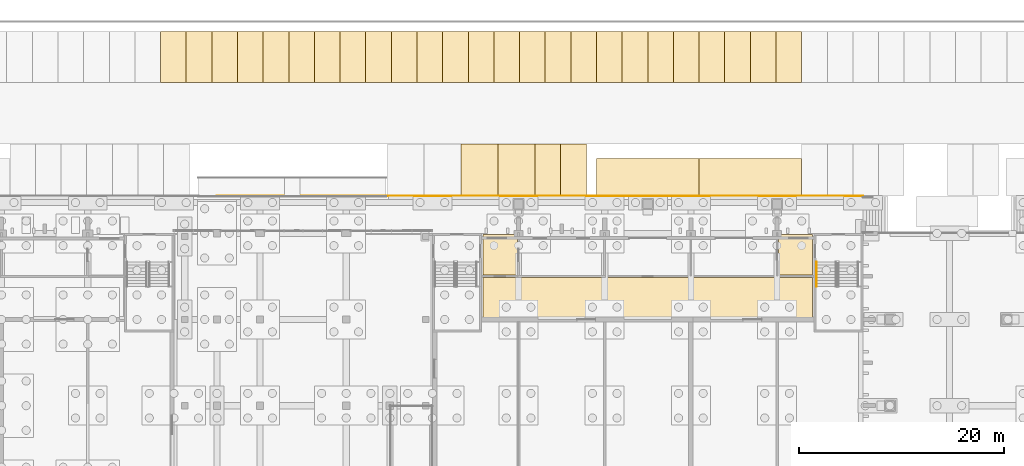
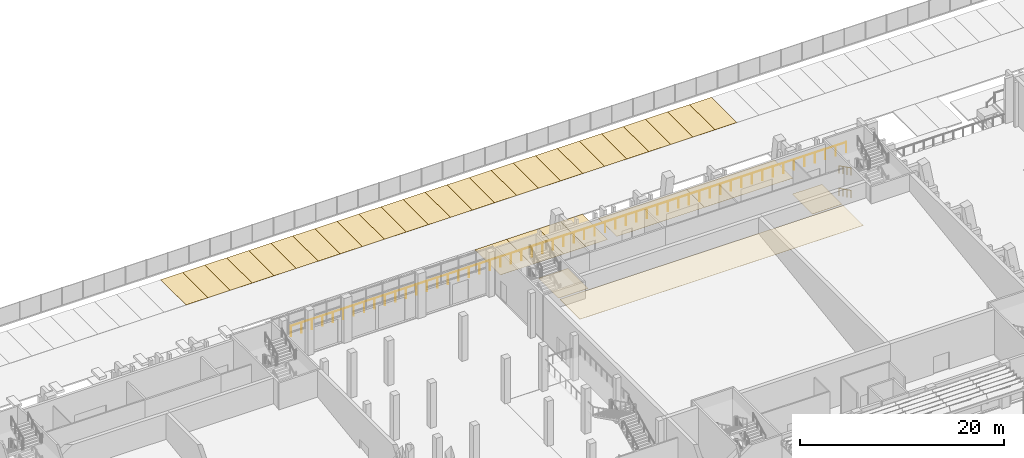
# One storey, part 119 of 129: 34 coverings, 3 railings.
"""IFC4 building model written with IfcOpenShell, lengths in metres."""

from ifc_helpers import new_model, si_unit, direction, frame, origin, origin_2d, place, context, subcontext, project, spatial, polyline, circle, outline, extrude, material, layer, layer_set, type_object, element, save


model = new_model("IFC4")

# Units and contexts
model_context = context("Model", 3, precision=1e-05, world=origin(), true_north=direction((0.0, 1.0)))
body_context = subcontext(model_context, "Body", "Model", "MODEL_VIEW")
ifc_project = project(units=[si_unit("LENGTHUNIT", "METRE"), si_unit("AREAUNIT", "SQUARE_METRE"), si_unit("VOLUMEUNIT", "CUBIC_METRE"), si_unit("PLANEANGLEUNIT", "RADIAN"), si_unit("MASSUNIT", "GRAM", prefix="KILO")], contexts=[model_context])

# Site, building, storey
site_placement = place(None, origin())
site = spatial("IfcSite", under=ifc_project, at=site_placement, CompositionType="ELEMENT")
building_placement = place(site_placement, origin())
building = spatial("IfcBuilding", under=site, at=building_placement, Name="Kiln Court Media Centre", CompositionType="ELEMENT")
storey_placement = place(building_placement, origin())
storey = spatial("IfcBuildingStorey", under=building, at=storey_placement, Name="L00", CompositionType="ELEMENT", Elevation=0.0)

# Coverings
ifc_material_1 = material(Name="Carpet tile")
ifc_layer_1 = layer(ifc_material_1, 0.014892578125)
ifc_layer_set_1 = layer_set([ifc_layer_1], Name="Carpet tile floor finish 15")
covering_type_1 = type_object("IfcCoveringType", Name="Carpet tile floor finish 15", PredefinedType="FLOORING", material=ifc_layer_set_1)
covering_1_placement = place(storey_placement, origin())
element("IfcCovering", 1, at=covering_1_placement, inside=storey, type_object=covering_type_1, Name="Cinema Manager Room floor finish", PredefinedType="FLOORING", context=body_context, shape_type="SweptSolid", body=[
    extrude(outline(polyline([(67.080078125, 67.080078125), (63.719970703125, 67.080078125), (63.719970703125, 63.1201171875), (67.080078125, 63.1201171875), (67.080078125, 67.080078125)])), origin(), (0.0, 0.0, 1.0), 0.014892578125),
])
covering_2_placement = place(storey_placement, origin())
element("IfcCovering", 2, at=covering_2_placement, inside=storey, type_object=covering_type_1, Name="Staff Room floor finish", PredefinedType="FLOORING", context=body_context, shape_type="SweptSolid", body=[
    extrude(outline(polyline([(92.52001953125, 63.1201171875), (95.8798828125, 63.1201171875), (95.8798828125, 67.080078125), (92.52001953125, 67.080078125), (92.52001953125, 63.1201171875)])), origin(), (0.0, 0.0, 1.0), 0.014892578125),
])
ifc_material_2 = material(Name="Terrazzo")
ifc_layer_2 = layer(ifc_material_2, 0.02490234375)
ifc_layer_set_2 = layer_set([ifc_layer_2], Name="Polished terrazzo floor finish 25")
covering_type_2 = type_object("IfcCoveringType", Name="Polished terrazzo floor finish 25", PredefinedType="FLOORING", material=ifc_layer_set_2)
covering_3_placement = place(storey_placement, origin())
element("IfcCovering", 3, at=covering_3_placement, inside=storey, type_object=covering_type_2, Name="Rear Exit Lobby floor finish", PredefinedType="FLOORING", context=body_context, shape_type="SweptSolid", body=[
    extrude(outline(polyline([(63.719970703125, 58.919921875), (95.8798828125, 58.919921875), (95.8798828125, 62.8798828125), (63.719970703125, 62.8798828125), (63.719970703125, 58.919921875)])), origin(), (0.0, 0.0, 1.0), 0.02490234375),
])

# Railings
ifc_material_3 = material(Name="Steel S275", Category="steel")
railing_type_1 = type_object("IfcRailingType", Name="Steel S275 stair handrail 900", PredefinedType="HANDRAIL", material=ifc_material_3)
railing_1_placement = place(storey_placement, frame((96.25, 64.39990234375, 0.14990234375)))
element("IfcRailing", 4, at=railing_1_placement, inside=storey, type_object=railing_type_1, Name="ST-12 stair handrail", PredefinedType="HANDRAIL", context=body_context, shape_type="SweptSolid", body=[
    extrude(circle(Radius=0.02392578125, at=origin_2d()), frame((0.0, 0.0, 0.8759765625), z_axis=(0.0, -0.894390793703, 0.44728638269), x_axis=(1.0, 0.0, 0.0)), (0.0, 0.0, 1.0), 2.683349609375),
    extrude(circle(Radius=0.02099609375, at=origin_2d()), origin(), (0.0, 0.0, 1.0), 0.851806640625),
    extrude(circle(Radius=0.02099609375, at=origin_2d()), frame((0.0, -0.800048828125, 0.400146484375)), (0.0, 0.0, 1.0), 0.851806640625),
    extrude(circle(Radius=0.02099609375, at=origin_2d()), frame((0.0, -1.599853515625, 0.800048828125)), (0.0, 0.0, 1.0), 0.851806640625),
    extrude(circle(Radius=0.02099609375, at=origin_2d()), frame((0.0, -2.39990234375, 1.2001953125)), (0.0, 0.0, 1.0), 0.851806640625),
])
railing_2_placement = place(storey_placement, frame((96.25, 64.39990234375, 2.85009765625)))
element("IfcRailing", 5, at=railing_2_placement, inside=storey, type_object=railing_type_1, Name="ST-12 stair handrail", PredefinedType="HANDRAIL", context=body_context, shape_type="SweptSolid", body=[
    extrude(circle(Radius=0.02392578125, at=origin_2d()), frame((0.0, 0.0, 0.8759765625), z_axis=(0.0, -0.894427191, 0.4472135955), x_axis=(1.0, 0.0, 0.0)), (0.0, 0.0, 1.0), 2.68310546875),
    extrude(circle(Radius=0.02099609375, at=origin_2d()), origin(), (0.0, 0.0, 1.0), 0.851806640625),
    extrude(circle(Radius=0.02099609375, at=origin_2d()), frame((0.0, -0.800048828125, 0.39990234375)), (0.0, 0.0, 1.0), 0.851806640625),
    extrude(circle(Radius=0.02099609375, at=origin_2d()), frame((0.0, -1.599853515625, 0.800048828125)), (0.0, 0.0, 1.0), 0.851806640625),
    extrude(circle(Radius=0.02099609375, at=origin_2d()), frame((0.0, -2.39990234375, 1.199951171875)), (0.0, 0.0, 1.0), 0.851806640625),
])
ifc_material_4 = material(Name="Steel ASTM A572 Gr 50", Category="steel")
railing_type_2 = type_object("IfcRailingType", Name="Steel guard rail 1100", PredefinedType="GUARDRAIL", material=ifc_material_4)
railing_3_placement = place(storey_placement, frame((37.800048828125, 70.821044921875, -0.14990234375)))
element("IfcRailing", 6, at=railing_3_placement, inside=storey, type_object=railing_type_2, Name="Deck edge guard 6", PredefinedType="GUARDRAIL", context=body_context, shape_type="SweptSolid", body=[
    extrude(circle(Radius=0.02392578125, at=origin_2d()), frame((0.0, 0.0, 1.22607421875), z_axis=(1.0, 0.0, 0.0), x_axis=(0.0, 1.0, 0.0)), (0.0, 0.0, 1.0), 63.0),
    extrude(circle(Radius=0.02099609375, at=origin_2d()), origin(), (0.0, 0.0, 1.0), 1.201904296875),
    extrude(circle(Radius=0.02099609375, at=origin_2d()), frame((1.188720703125, 0.0, 0.0)), (0.0, 0.0, 1.0), 1.201904296875),
    extrude(circle(Radius=0.02099609375, at=origin_2d()), frame((2.37744140625, 0.0, 0.0)), (0.0, 0.0, 1.0), 1.201904296875),
    extrude(circle(Radius=0.02099609375, at=origin_2d()), frame((3.56591796875, 0.0, 0.0)), (0.0, 0.0, 1.0), 1.201904296875),
    extrude(circle(Radius=0.02099609375, at=origin_2d()), frame((4.754638671875, 0.0, 0.0)), (0.0, 0.0, 1.0), 1.201904296875),
    extrude(circle(Radius=0.02099609375, at=origin_2d()), frame((5.943359375, 0.0, 0.0)), (0.0, 0.0, 1.0), 1.201904296875),
    extrude(circle(Radius=0.02099609375, at=origin_2d()), frame((7.132080078125, 0.0, 0.0)), (0.0, 0.0, 1.0), 1.201904296875),
    extrude(circle(Radius=0.02099609375, at=origin_2d()), frame((8.32080078125, 0.0, 0.0)), (0.0, 0.0, 1.0), 1.201904296875),
    extrude(circle(Radius=0.02099609375, at=origin_2d()), frame((9.509521484375, 0.0, 0.0)), (0.0, 0.0, 1.0), 1.201904296875),
    extrude(circle(Radius=0.02099609375, at=origin_2d()), frame((10.697998046875, 0.0, 0.0)), (0.0, 0.0, 1.0), 1.201904296875),
    extrude(circle(Radius=0.02099609375, at=origin_2d()), frame((11.88671875, 0.0, 0.0)), (0.0, 0.0, 1.0), 1.201904296875),
    extrude(circle(Radius=0.02099609375, at=origin_2d()), frame((13.075439453125, 0.0, 0.0)), (0.0, 0.0, 1.0), 1.201904296875),
    extrude(circle(Radius=0.02099609375, at=origin_2d()), frame((14.26416015625, 0.0, 0.0)), (0.0, 0.0, 1.0), 1.201904296875),
    extrude(circle(Radius=0.02099609375, at=origin_2d()), frame((15.452880859375, 0.0, 0.0)), (0.0, 0.0, 1.0), 1.201904296875),
    extrude(circle(Radius=0.02099609375, at=origin_2d()), frame((16.6416015625, 0.0, 0.0)), (0.0, 0.0, 1.0), 1.201904296875),
    extrude(circle(Radius=0.02099609375, at=origin_2d()), frame((17.830078125, 0.0, 0.0)), (0.0, 0.0, 1.0), 1.201904296875),
    extrude(circle(Radius=0.02099609375, at=origin_2d()), frame((19.018798828125, 0.0, 0.0)), (0.0, 0.0, 1.0), 1.201904296875),
    extrude(circle(Radius=0.02099609375, at=origin_2d()), frame((20.20751953125, 0.0, 0.0)), (0.0, 0.0, 1.0), 1.201904296875),
    extrude(circle(Radius=0.02099609375, at=origin_2d()), frame((21.396240234375, 0.0, 0.0)), (0.0, 0.0, 1.0), 1.201904296875),
    extrude(circle(Radius=0.02099609375, at=origin_2d()), frame((22.5849609375, 0.0, 0.0)), (0.0, 0.0, 1.0), 1.201904296875),
    extrude(circle(Radius=0.02099609375, at=origin_2d()), frame((23.773681640625, 0.0, 0.0)), (0.0, 0.0, 1.0), 1.201904296875),
    extrude(circle(Radius=0.02099609375, at=origin_2d()), frame((24.962158203125, 0.0, 0.0)), (0.0, 0.0, 1.0), 1.201904296875),
    extrude(circle(Radius=0.02099609375, at=origin_2d()), frame((26.15087890625, 0.0, 0.0)), (0.0, 0.0, 1.0), 1.201904296875),
    extrude(circle(Radius=0.02099609375, at=origin_2d()), frame((27.339599609375, 0.0, 0.0)), (0.0, 0.0, 1.0), 1.201904296875),
    extrude(circle(Radius=0.02099609375, at=origin_2d()), frame((28.5283203125, 0.0, 0.0)), (0.0, 0.0, 1.0), 1.201904296875),
    extrude(circle(Radius=0.02099609375, at=origin_2d()), frame((29.717041015625, 0.0, 0.0)), (0.0, 0.0, 1.0), 1.201904296875),
    extrude(circle(Radius=0.02099609375, at=origin_2d()), frame((30.90576171875, 0.0, 0.0)), (0.0, 0.0, 1.0), 1.201904296875),
    extrude(circle(Radius=0.02099609375, at=origin_2d()), frame((32.09423828125, 0.0, 0.0)), (0.0, 0.0, 1.0), 1.201904296875),
    extrude(circle(Radius=0.02099609375, at=origin_2d()), frame((33.282958984375, 0.0, 0.0)), (0.0, 0.0, 1.0), 1.201904296875),
    extrude(circle(Radius=0.02099609375, at=origin_2d()), frame((34.4716796875, 0.0, 0.0)), (0.0, 0.0, 1.0), 1.201904296875),
    extrude(circle(Radius=0.02099609375, at=origin_2d()), frame((35.660400390625, 0.0, 0.0)), (0.0, 0.0, 1.0), 1.201904296875),
    extrude(circle(Radius=0.02099609375, at=origin_2d()), frame((36.84912109375, 0.0, 0.0)), (0.0, 0.0, 1.0), 1.201904296875),
    extrude(circle(Radius=0.02099609375, at=origin_2d()), frame((38.037841796875, 0.0, 0.0)), (0.0, 0.0, 1.0), 1.201904296875),
    extrude(circle(Radius=0.02099609375, at=origin_2d()), frame((39.226318359375, 0.0, 0.0)), (0.0, 0.0, 1.0), 1.201904296875),
    extrude(circle(Radius=0.02099609375, at=origin_2d()), frame((40.4150390625, 0.0, 0.0)), (0.0, 0.0, 1.0), 1.201904296875),
    extrude(circle(Radius=0.02099609375, at=origin_2d()), frame((41.603759765625, 0.0, 0.0)), (0.0, 0.0, 1.0), 1.201904296875),
    extrude(circle(Radius=0.02099609375, at=origin_2d()), frame((42.79248046875, 0.0, 0.0)), (0.0, 0.0, 1.0), 1.201904296875),
    extrude(circle(Radius=0.02099609375, at=origin_2d()), frame((43.981201171875, 0.0, 0.0)), (0.0, 0.0, 1.0), 1.201904296875),
    extrude(circle(Radius=0.02099609375, at=origin_2d()), frame((45.169921875, 0.0, 0.0)), (0.0, 0.0, 1.0), 1.201904296875),
    extrude(circle(Radius=0.02099609375, at=origin_2d()), frame((46.3583984375, 0.0, 0.0)), (0.0, 0.0, 1.0), 1.201904296875),
    extrude(circle(Radius=0.02099609375, at=origin_2d()), frame((47.547119140625, 0.0, 0.0)), (0.0, 0.0, 1.0), 1.201904296875),
    extrude(circle(Radius=0.02099609375, at=origin_2d()), frame((48.73583984375, 0.0, 0.0)), (0.0, 0.0, 1.0), 1.201904296875),
    extrude(circle(Radius=0.02099609375, at=origin_2d()), frame((49.924560546875, 0.0, 0.0)), (0.0, 0.0, 1.0), 1.201904296875),
    extrude(circle(Radius=0.02099609375, at=origin_2d()), frame((51.11328125, 0.0, 0.0)), (0.0, 0.0, 1.0), 1.201904296875),
    extrude(circle(Radius=0.02099609375, at=origin_2d()), frame((52.302001953125, 0.0, 0.0)), (0.0, 0.0, 1.0), 1.201904296875),
    extrude(circle(Radius=0.02099609375, at=origin_2d()), frame((53.490478515625, 0.0, 0.0)), (0.0, 0.0, 1.0), 1.201904296875),
    extrude(circle(Radius=0.02099609375, at=origin_2d()), frame((54.67919921875, 0.0, 0.0)), (0.0, 0.0, 1.0), 1.201904296875),
    extrude(circle(Radius=0.02099609375, at=origin_2d()), frame((55.867919921875, 0.0, 0.0)), (0.0, 0.0, 1.0), 1.201904296875),
    extrude(circle(Radius=0.02099609375, at=origin_2d()), frame((57.056640625, 0.0, 0.0)), (0.0, 0.0, 1.0), 1.201904296875),
    extrude(circle(Radius=0.02099609375, at=origin_2d()), frame((58.245361328125, 0.0, 0.0)), (0.0, 0.0, 1.0), 1.201904296875),
    extrude(circle(Radius=0.02099609375, at=origin_2d()), frame((59.43408203125, 0.0, 0.0)), (0.0, 0.0, 1.0), 1.201904296875),
    extrude(circle(Radius=0.02099609375, at=origin_2d()), frame((60.62255859375, 0.0, 0.0)), (0.0, 0.0, 1.0), 1.201904296875),
    extrude(circle(Radius=0.02099609375, at=origin_2d()), frame((61.811279296875, 0.0, 0.0)), (0.0, 0.0, 1.0), 1.201904296875),
    extrude(circle(Radius=0.02099609375, at=origin_2d()), frame((63.0, 0.0, 0.0)), (0.0, 0.0, 1.0), 1.201904296875),
])

# Coverings
ifc_material_5 = material(Name="Thermoplastic road marking", Category="coating")
ifc_layer_3 = layer(ifc_material_5, 0.010009765625)
ifc_layer_set_3 = layer_set([ifc_layer_3], Name="Thermoplastic accessible car bay marking 3600x5000")
covering_type_3 = type_object("IfcCoveringType", Name="Thermoplastic accessible car bay marking 3600x5000", PredefinedType="FLOORING", material=ifc_layer_set_3)
covering_4_placement = place(storey_placement, frame((0.0, 0.0, -1.199951171875)))
element("IfcCovering", 7, at=covering_4_placement, inside=storey, type_object=covering_type_3, Name="Accessible car bay PA03", PredefinedType="FLOORING", context=body_context, shape_type="SweptSolid", body=[
    extrude(outline(polyline([(61.60009765625, 70.89990234375), (65.199951171875, 70.89990234375), (65.199951171875, 75.89990234375), (61.60009765625, 75.89990234375), (61.60009765625, 70.89990234375)])), origin(), (0.0, 0.0, 1.0), 0.010009765625),
])
covering_5_placement = place(storey_placement, frame((0.0, 0.0, -1.199951171875)))
element("IfcCovering", 8, at=covering_5_placement, inside=storey, type_object=covering_type_3, Name="Accessible car bay PA04", PredefinedType="FLOORING", context=body_context, shape_type="SweptSolid", body=[
    extrude(outline(polyline([(65.199951171875, 70.89990234375), (68.800048828125, 70.89990234375), (68.800048828125, 75.89990234375), (65.199951171875, 75.89990234375), (65.199951171875, 70.89990234375)])), origin(), (0.0, 0.0, 1.0), 0.010009765625),
])
ifc_material_6 = material(Name="Thermoplastic road marking", Category="coating")
ifc_layer_4 = layer(ifc_material_6, 0.010009765625)
ifc_layer_set_4 = layer_set([ifc_layer_4], Name="Thermoplastic loading bay marking 10000x3600")
covering_type_4 = type_object("IfcCoveringType", Name="Thermoplastic loading bay marking 10000x3600", PredefinedType="FLOORING", material=ifc_layer_set_4)
covering_6_placement = place(storey_placement, frame((0.0, 0.0, -1.199951171875)))
element("IfcCovering", 9, at=covering_6_placement, inside=storey, type_object=covering_type_4, Name="Loading bay LB-2", PredefinedType="FLOORING", context=body_context, shape_type="SweptSolid", body=[
    extrude(outline(polyline([(74.800048828125, 70.89990234375), (84.800048828125, 70.89990234375), (84.800048828125, 74.5), (74.800048828125, 74.5), (74.800048828125, 70.89990234375)])), origin(), (0.0, 0.0, 1.0), 0.010009765625),
])
covering_7_placement = place(storey_placement, frame((0.0, 0.0, -1.199951171875)))
element("IfcCovering", 10, at=covering_7_placement, inside=storey, type_object=covering_type_4, Name="Loading bay LB-3", PredefinedType="FLOORING", context=body_context, shape_type="SweptSolid", body=[
    extrude(outline(polyline([(84.800048828125, 70.89990234375), (94.800048828125, 70.89990234375), (94.800048828125, 74.5), (84.800048828125, 74.5), (84.800048828125, 70.89990234375)])), origin(), (0.0, 0.0, 1.0), 0.010009765625),
])
ifc_material_7 = material(Name="Thermoplastic road marking", Category="coating")
ifc_layer_5 = layer(ifc_material_7, 0.010009765625)
ifc_layer_set_5 = layer_set([ifc_layer_5], Name="Thermoplastic standard car bay marking 2500x5000")
covering_type_5 = type_object("IfcCoveringType", Name="Thermoplastic standard car bay marking 2500x5000", PredefinedType="FLOORING", material=ifc_layer_set_5)
covering_8_placement = place(storey_placement, frame((0.0, 0.0, -1.199951171875)))
element("IfcCovering", 11, at=covering_8_placement, inside=storey, type_object=covering_type_5, Name="Car bay P012", PredefinedType="FLOORING", context=body_context, shape_type="SweptSolid", body=[
    extrude(outline(polyline([(32.300048828125, 81.89990234375), (34.800048828125, 81.89990234375), (34.800048828125, 86.89990234375), (32.300048828125, 86.89990234375), (32.300048828125, 81.89990234375)])), origin(), (0.0, 0.0, 1.0), 0.010009765625),
])
covering_9_placement = place(storey_placement, frame((0.0, 0.0, -1.199951171875)))
element("IfcCovering", 12, at=covering_9_placement, inside=storey, type_object=covering_type_5, Name="Car bay P013", PredefinedType="FLOORING", context=body_context, shape_type="SweptSolid", body=[
    extrude(outline(polyline([(34.800048828125, 81.89990234375), (37.300048828125, 81.89990234375), (37.300048828125, 86.89990234375), (34.800048828125, 86.89990234375), (34.800048828125, 81.89990234375)])), origin(), (0.0, 0.0, 1.0), 0.010009765625),
])
covering_10_placement = place(storey_placement, frame((0.0, 0.0, -1.199951171875)))
element("IfcCovering", 13, at=covering_10_placement, inside=storey, type_object=covering_type_5, Name="Car bay P014", PredefinedType="FLOORING", context=body_context, shape_type="SweptSolid", body=[
    extrude(outline(polyline([(37.300048828125, 81.89990234375), (39.800048828125, 81.89990234375), (39.800048828125, 86.89990234375), (37.300048828125, 86.89990234375), (37.300048828125, 81.89990234375)])), origin(), (0.0, 0.0, 1.0), 0.010009765625),
])
covering_11_placement = place(storey_placement, frame((0.0, 0.0, -1.199951171875)))
element("IfcCovering", 14, at=covering_11_placement, inside=storey, type_object=covering_type_5, Name="Car bay P015", PredefinedType="FLOORING", context=body_context, shape_type="SweptSolid", body=[
    extrude(outline(polyline([(39.800048828125, 81.89990234375), (42.300048828125, 81.89990234375), (42.300048828125, 86.89990234375), (39.800048828125, 86.89990234375), (39.800048828125, 81.89990234375)])), origin(), (0.0, 0.0, 1.0), 0.010009765625),
])
covering_12_placement = place(storey_placement, frame((0.0, 0.0, -1.199951171875)))
element("IfcCovering", 15, at=covering_12_placement, inside=storey, type_object=covering_type_5, Name="Car bay P016", PredefinedType="FLOORING", context=body_context, shape_type="SweptSolid", body=[
    extrude(outline(polyline([(42.300048828125, 81.89990234375), (44.800048828125, 81.89990234375), (44.800048828125, 86.89990234375), (42.300048828125, 86.89990234375), (42.300048828125, 81.89990234375)])), origin(), (0.0, 0.0, 1.0), 0.010009765625),
])
covering_13_placement = place(storey_placement, frame((0.0, 0.0, -1.199951171875)))
element("IfcCovering", 16, at=covering_13_placement, inside=storey, type_object=covering_type_5, Name="Car bay P017", PredefinedType="FLOORING", context=body_context, shape_type="SweptSolid", body=[
    extrude(outline(polyline([(44.800048828125, 81.89990234375), (47.300048828125, 81.89990234375), (47.300048828125, 86.89990234375), (44.800048828125, 86.89990234375), (44.800048828125, 81.89990234375)])), origin(), (0.0, 0.0, 1.0), 0.010009765625),
])
covering_14_placement = place(storey_placement, frame((0.0, 0.0, -1.199951171875)))
element("IfcCovering", 17, at=covering_14_placement, inside=storey, type_object=covering_type_5, Name="Car bay P018", PredefinedType="FLOORING", context=body_context, shape_type="SweptSolid", body=[
    extrude(outline(polyline([(47.300048828125, 81.89990234375), (49.800048828125, 81.89990234375), (49.800048828125, 86.89990234375), (47.300048828125, 86.89990234375), (47.300048828125, 81.89990234375)])), origin(), (0.0, 0.0, 1.0), 0.010009765625),
])
covering_15_placement = place(storey_placement, frame((0.0, 0.0, -1.199951171875)))
element("IfcCovering", 18, at=covering_15_placement, inside=storey, type_object=covering_type_5, Name="Car bay P019", PredefinedType="FLOORING", context=body_context, shape_type="SweptSolid", body=[
    extrude(outline(polyline([(49.800048828125, 81.89990234375), (52.300048828125, 81.89990234375), (52.300048828125, 86.89990234375), (49.800048828125, 86.89990234375), (49.800048828125, 81.89990234375)])), origin(), (0.0, 0.0, 1.0), 0.010009765625),
])
covering_16_placement = place(storey_placement, frame((0.0, 0.0, -1.199951171875)))
element("IfcCovering", 19, at=covering_16_placement, inside=storey, type_object=covering_type_5, Name="Car bay P020", PredefinedType="FLOORING", context=body_context, shape_type="SweptSolid", body=[
    extrude(outline(polyline([(52.300048828125, 81.89990234375), (54.800048828125, 81.89990234375), (54.800048828125, 86.89990234375), (52.300048828125, 86.89990234375), (52.300048828125, 81.89990234375)])), origin(), (0.0, 0.0, 1.0), 0.010009765625),
])
covering_17_placement = place(storey_placement, frame((0.0, 0.0, -1.199951171875)))
element("IfcCovering", 20, at=covering_17_placement, inside=storey, type_object=covering_type_5, Name="Car bay P021", PredefinedType="FLOORING", context=body_context, shape_type="SweptSolid", body=[
    extrude(outline(polyline([(54.800048828125, 81.89990234375), (57.300048828125, 81.89990234375), (57.300048828125, 86.89990234375), (54.800048828125, 86.89990234375), (54.800048828125, 81.89990234375)])), origin(), (0.0, 0.0, 1.0), 0.010009765625),
])
covering_18_placement = place(storey_placement, frame((0.0, 0.0, -1.199951171875)))
element("IfcCovering", 21, at=covering_18_placement, inside=storey, type_object=covering_type_5, Name="Car bay P022", PredefinedType="FLOORING", context=body_context, shape_type="SweptSolid", body=[
    extrude(outline(polyline([(57.300048828125, 81.89990234375), (59.800048828125, 81.89990234375), (59.800048828125, 86.89990234375), (57.300048828125, 86.89990234375), (57.300048828125, 81.89990234375)])), origin(), (0.0, 0.0, 1.0), 0.010009765625),
])
covering_19_placement = place(storey_placement, frame((0.0, 0.0, -1.199951171875)))
element("IfcCovering", 22, at=covering_19_placement, inside=storey, type_object=covering_type_5, Name="Car bay P023", PredefinedType="FLOORING", context=body_context, shape_type="SweptSolid", body=[
    extrude(outline(polyline([(59.800048828125, 81.89990234375), (62.300048828125, 81.89990234375), (62.300048828125, 86.89990234375), (59.800048828125, 86.89990234375), (59.800048828125, 81.89990234375)])), origin(), (0.0, 0.0, 1.0), 0.010009765625),
])
covering_20_placement = place(storey_placement, frame((0.0, 0.0, -1.199951171875)))
element("IfcCovering", 23, at=covering_20_placement, inside=storey, type_object=covering_type_5, Name="Car bay P024", PredefinedType="FLOORING", context=body_context, shape_type="SweptSolid", body=[
    extrude(outline(polyline([(62.300048828125, 81.89990234375), (64.800048828125, 81.89990234375), (64.800048828125, 86.89990234375), (62.300048828125, 86.89990234375), (62.300048828125, 81.89990234375)])), origin(), (0.0, 0.0, 1.0), 0.010009765625),
])
covering_21_placement = place(storey_placement, frame((0.0, 0.0, -1.199951171875)))
element("IfcCovering", 24, at=covering_21_placement, inside=storey, type_object=covering_type_5, Name="Car bay P025", PredefinedType="FLOORING", context=body_context, shape_type="SweptSolid", body=[
    extrude(outline(polyline([(64.800048828125, 81.89990234375), (67.300048828125, 81.89990234375), (67.300048828125, 86.89990234375), (64.800048828125, 86.89990234375), (64.800048828125, 81.89990234375)])), origin(), (0.0, 0.0, 1.0), 0.010009765625),
])
covering_22_placement = place(storey_placement, frame((0.0, 0.0, -1.199951171875)))
element("IfcCovering", 25, at=covering_22_placement, inside=storey, type_object=covering_type_5, Name="Car bay P026", PredefinedType="FLOORING", context=body_context, shape_type="SweptSolid", body=[
    extrude(outline(polyline([(67.300048828125, 81.89990234375), (69.800048828125, 81.89990234375), (69.800048828125, 86.89990234375), (67.300048828125, 86.89990234375), (67.300048828125, 81.89990234375)])), origin(), (0.0, 0.0, 1.0), 0.010009765625),
])
covering_23_placement = place(storey_placement, frame((0.0, 0.0, -1.199951171875)))
element("IfcCovering", 26, at=covering_23_placement, inside=storey, type_object=covering_type_5, Name="Car bay P027", PredefinedType="FLOORING", context=body_context, shape_type="SweptSolid", body=[
    extrude(outline(polyline([(69.800048828125, 81.89990234375), (72.300048828125, 81.89990234375), (72.300048828125, 86.89990234375), (69.800048828125, 86.89990234375), (69.800048828125, 81.89990234375)])), origin(), (0.0, 0.0, 1.0), 0.010009765625),
])
covering_24_placement = place(storey_placement, frame((0.0, 0.0, -1.199951171875)))
element("IfcCovering", 27, at=covering_24_placement, inside=storey, type_object=covering_type_5, Name="Car bay P028", PredefinedType="FLOORING", context=body_context, shape_type="SweptSolid", body=[
    extrude(outline(polyline([(72.300048828125, 81.89990234375), (74.800048828125, 81.89990234375), (74.800048828125, 86.89990234375), (72.300048828125, 86.89990234375), (72.300048828125, 81.89990234375)])), origin(), (0.0, 0.0, 1.0), 0.010009765625),
])
covering_25_placement = place(storey_placement, frame((0.0, 0.0, -1.199951171875)))
element("IfcCovering", 28, at=covering_25_placement, inside=storey, type_object=covering_type_5, Name="Car bay P029", PredefinedType="FLOORING", context=body_context, shape_type="SweptSolid", body=[
    extrude(outline(polyline([(74.800048828125, 81.89990234375), (77.300048828125, 81.89990234375), (77.300048828125, 86.89990234375), (74.800048828125, 86.89990234375), (74.800048828125, 81.89990234375)])), origin(), (0.0, 0.0, 1.0), 0.010009765625),
])
covering_26_placement = place(storey_placement, frame((0.0, 0.0, -1.199951171875)))
element("IfcCovering", 29, at=covering_26_placement, inside=storey, type_object=covering_type_5, Name="Car bay P030", PredefinedType="FLOORING", context=body_context, shape_type="SweptSolid", body=[
    extrude(outline(polyline([(77.300048828125, 81.89990234375), (79.800048828125, 81.89990234375), (79.800048828125, 86.89990234375), (77.300048828125, 86.89990234375), (77.300048828125, 81.89990234375)])), origin(), (0.0, 0.0, 1.0), 0.010009765625),
])
covering_27_placement = place(storey_placement, frame((0.0, 0.0, -1.199951171875)))
element("IfcCovering", 30, at=covering_27_placement, inside=storey, type_object=covering_type_5, Name="Car bay P031", PredefinedType="FLOORING", context=body_context, shape_type="SweptSolid", body=[
    extrude(outline(polyline([(79.800048828125, 81.89990234375), (82.300048828125, 81.89990234375), (82.300048828125, 86.89990234375), (79.800048828125, 86.89990234375), (79.800048828125, 81.89990234375)])), origin(), (0.0, 0.0, 1.0), 0.010009765625),
])
covering_28_placement = place(storey_placement, frame((0.0, 0.0, -1.199951171875)))
element("IfcCovering", 31, at=covering_28_placement, inside=storey, type_object=covering_type_5, Name="Car bay P032", PredefinedType="FLOORING", context=body_context, shape_type="SweptSolid", body=[
    extrude(outline(polyline([(82.300048828125, 81.89990234375), (84.800048828125, 81.89990234375), (84.800048828125, 86.89990234375), (82.300048828125, 86.89990234375), (82.300048828125, 81.89990234375)])), origin(), (0.0, 0.0, 1.0), 0.010009765625),
])
covering_29_placement = place(storey_placement, frame((0.0, 0.0, -1.199951171875)))
element("IfcCovering", 32, at=covering_29_placement, inside=storey, type_object=covering_type_5, Name="Car bay P033", PredefinedType="FLOORING", context=body_context, shape_type="SweptSolid", body=[
    extrude(outline(polyline([(84.800048828125, 81.89990234375), (87.300048828125, 81.89990234375), (87.300048828125, 86.89990234375), (84.800048828125, 86.89990234375), (84.800048828125, 81.89990234375)])), origin(), (0.0, 0.0, 1.0), 0.010009765625),
])
covering_30_placement = place(storey_placement, frame((0.0, 0.0, -1.199951171875)))
element("IfcCovering", 33, at=covering_30_placement, inside=storey, type_object=covering_type_5, Name="Car bay P034", PredefinedType="FLOORING", context=body_context, shape_type="SweptSolid", body=[
    extrude(outline(polyline([(87.300048828125, 81.89990234375), (89.800048828125, 81.89990234375), (89.800048828125, 86.89990234375), (87.300048828125, 86.89990234375), (87.300048828125, 81.89990234375)])), origin(), (0.0, 0.0, 1.0), 0.010009765625),
])
covering_31_placement = place(storey_placement, frame((0.0, 0.0, -1.199951171875)))
element("IfcCovering", 34, at=covering_31_placement, inside=storey, type_object=covering_type_5, Name="Car bay P035", PredefinedType="FLOORING", context=body_context, shape_type="SweptSolid", body=[
    extrude(outline(polyline([(89.800048828125, 81.89990234375), (92.300048828125, 81.89990234375), (92.300048828125, 86.89990234375), (89.800048828125, 86.89990234375), (89.800048828125, 81.89990234375)])), origin(), (0.0, 0.0, 1.0), 0.010009765625),
])
covering_32_placement = place(storey_placement, frame((0.0, 0.0, -1.199951171875)))
element("IfcCovering", 35, at=covering_32_placement, inside=storey, type_object=covering_type_5, Name="Car bay P036", PredefinedType="FLOORING", context=body_context, shape_type="SweptSolid", body=[
    extrude(outline(polyline([(92.300048828125, 81.89990234375), (94.800048828125, 81.89990234375), (94.800048828125, 86.89990234375), (92.300048828125, 86.89990234375), (92.300048828125, 81.89990234375)])), origin(), (0.0, 0.0, 1.0), 0.010009765625),
])
covering_33_placement = place(storey_placement, frame((0.0, 0.0, -1.199951171875)))
element("IfcCovering", 36, at=covering_33_placement, inside=storey, type_object=covering_type_5, Name="Car bay P074", PredefinedType="FLOORING", context=body_context, shape_type="SweptSolid", body=[
    extrude(outline(polyline([(68.800048828125, 70.89990234375), (71.300048828125, 70.89990234375), (71.300048828125, 75.89990234375), (68.800048828125, 75.89990234375), (68.800048828125, 70.89990234375)])), origin(), (0.0, 0.0, 1.0), 0.010009765625),
])
covering_34_placement = place(storey_placement, frame((0.0, 0.0, -1.199951171875)))
element("IfcCovering", 37, at=covering_34_placement, inside=storey, type_object=covering_type_5, Name="Car bay P075", PredefinedType="FLOORING", context=body_context, shape_type="SweptSolid", body=[
    extrude(outline(polyline([(71.300048828125, 70.89990234375), (73.800048828125, 70.89990234375), (73.800048828125, 75.89990234375), (71.300048828125, 75.89990234375), (71.300048828125, 70.89990234375)])), origin(), (0.0, 0.0, 1.0), 0.010009765625),
])

save(model, "model.ifc")
